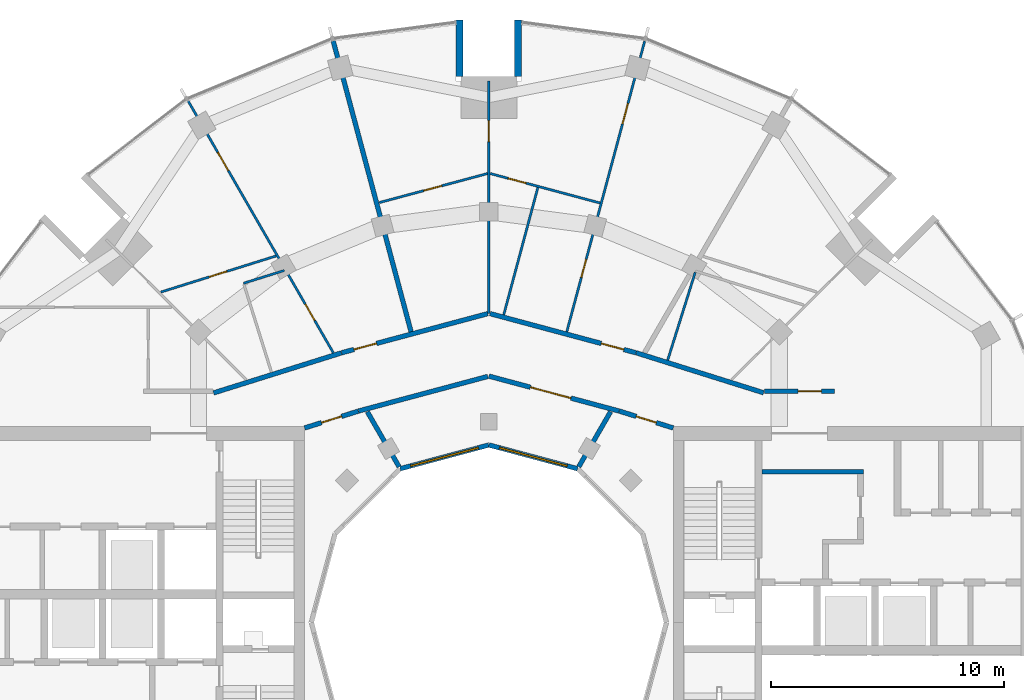
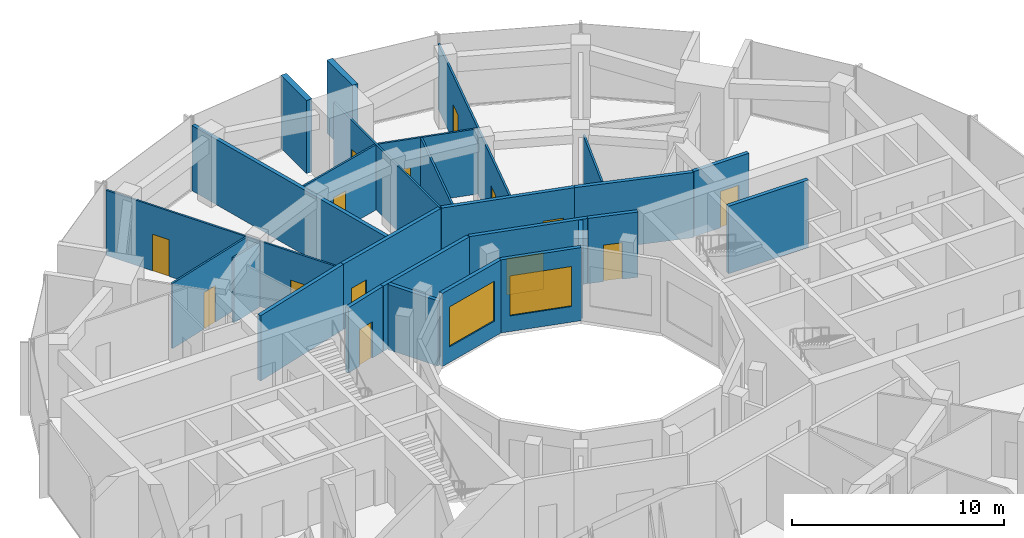
# One storey, part 12 of 15: 26 walls, 14 doors, 2 windows, 16 openings.
"""IFC4 building model written with IfcOpenShell, lengths in metres."""

from ifc_helpers import new_model, si_unit, direction, frame, frame_2d, origin, place, context, subcontext, project, spatial, rectangle, extrude, material, layer, layer_set, type_object, element, fill, save


model = new_model("IFC4")

# Units and contexts
model_context = context("Model", 3, precision=1e-05, world=origin(), true_north=direction((0.0, 1.0)))
body_context = subcontext(model_context, "Body", "Model", "MODEL_VIEW")
ifc_project = project(units=[si_unit("LENGTHUNIT", "METRE"), si_unit("AREAUNIT", "SQUARE_METRE"), si_unit("VOLUMEUNIT", "CUBIC_METRE"), si_unit("PLANEANGLEUNIT", "RADIAN"), si_unit("MASSUNIT", "GRAM", prefix="KILO")], contexts=[model_context])

# Site, building, storey
site_placement = place(None, origin())
site = spatial("IfcSite", under=ifc_project, at=site_placement, CompositionType="ELEMENT")
building_placement = place(site_placement, origin())
building = spatial("IfcBuilding", under=site, at=building_placement, Name="Torre Brocal", CompositionType="ELEMENT")
storey_placement = place(building_placement, frame((0.0, 0.0, 258.300048828125)))
storey = spatial("IfcBuildingStorey", under=building, at=storey_placement, Name="L59", CompositionType="ELEMENT", Elevation=258.300048828125)

# Walls
ifc_material_1 = material(Name="Concrete C60", Category="concrete")
ifc_layer_1 = layer(ifc_material_1, 0.199951171875)
ifc_layer_set_1 = layer_set([ifc_layer_1], Name="Concrete C60")
wall_type_1 = type_object("IfcWallType", Name="CORE WALL 200 C60", PredefinedType="SHEAR", material=ifc_layer_set_1)
wall_1_placement = place(storey_placement, frame((91.699951171875, 81.449951171875, 0.0), z_axis=(0.0, 0.0, 1.0), x_axis=(1.0, 0.0, 0.0)))
element("IfcWall", 1, at=wall_1_placement, inside=storey, type_object=wall_type_1, Name="Wall CW200-60", PredefinedType="SHEAR", context=body_context, shape_type="SweptSolid", body=[
    extrude(rectangle(XDim=4.35009765625, YDim=0.199951171875, at=frame_2d((2.175048828125, 0.0))), origin(), (0.0, 0.0, 1.0), 3.8798828125),
])
ifc_material_2 = material(Name="Concrete C60", Category="concrete")
ifc_layer_2 = layer(ifc_material_2, 0.300048828125)
ifc_layer_set_2 = layer_set([ifc_layer_2], Name="Concrete C60")
wall_type_2 = type_object("IfcWallType", Name="NOTCH RETURN WALL 300 C60", PredefinedType="NOTDEFINED", material=ifc_layer_set_2)
for number, where, z_axis, x_axis, name in (
    (2, (81.25, 98.39990234375, 0.0), (0.0, 0.0, 1.0), (0.0, 1.0, 0.0), "NOTCH RETURN WALL"),
    (3, (78.75, 98.39990234375, 0.0), (0.0, 0.0, 1.0), (0.0, 1.0, 0.0), "NOTCH RETURN WALL"),
):
    element("IfcWall", number, at=place(storey_placement, frame(where, z_axis=z_axis, x_axis=x_axis)), inside=storey, type_object=wall_type_2, Name=name, PredefinedType="NOTDEFINED", context=body_context, shape_type="SweptSolid", body=[
        extrude(rectangle(XDim=2.415771484375, YDim=0.300048828125, at=frame_2d((1.2080078125, 0.0))), origin(), (0.0, 0.0, 1.0), 4.199951171875),
    ])

# Wall, opening, door
ifc_material_3 = material(Name="Gypsum board", Category="Gypsum")
ifc_layer_3 = layer(ifc_material_3, 0.10009765625)
ifc_layer_set_3 = layer_set([ifc_layer_3], Name="Gypsum board")
wall_type_3 = type_object("IfcWallType", Name="PARTITION 100", PredefinedType="PARTITIONING", material=ifc_layer_set_3)
wall_2_placement = place(storey_placement, frame((65.9443359375, 89.156982421875, 0.0), z_axis=(0.0, 0.0, 1.0), x_axis=(0.954238484697, 0.299046675828, 0.0)))
wall_2 = element("IfcWall", 4, at=wall_2_placement, inside=storey, type_object=wall_type_3, Name="BATHROOM WALL", PredefinedType="PARTITIONING", context=body_context, shape_type="SweptSolid", body=[
    extrude(rectangle(XDim=5.16943359375, YDim=0.10009765625, at=frame_2d((2.584716796875, 0.0))), origin(), (0.0, 0.0, 1.0), 3.75),
])
opening_1_placement = place(wall_2_placement, frame((2.169921875, 0.0, 0.0)))
opening_1 = element("IfcOpeningElement", 5, at=opening_1_placement, cuts=wall_2, Name="Opening B04-D13", PredefinedType="OPENING", context=body_context, shape_type="SweptSolid", body=[
    extrude(rectangle(XDim=0.800048828125, YDim=2.10009765625, at=frame_2d((0.39990234375, 1.050048828125))), frame((0.0, 0.06005859375, 0.0), z_axis=(0.0, -1.0, 0.0), x_axis=(1.0, 0.0, 0.0)), (0.0, 0.0, 1.0), 0.1201171875),
])
ifc_material_4 = material(Name="Timber", Category="wood")
door_type_1 = type_object("IfcDoorType", Name="BATHROOM DOOR 800X2100", OperationType="SINGLE_SWING_LEFT", PredefinedType="DOOR", material=ifc_material_4)
door_1_placement = place(opening_1_placement, frame((0.800048828125, 0.0, 0.0), z_axis=(0.0, 0.0, 1.0), x_axis=(-1.0, 0.0, 0.0)))
door_1 = element("IfcDoor", 6, at=door_1_placement, inside=storey, type_object=door_type_1, Name="B04-D13", OperationType="SINGLE_SWING_RIGHT", OverallHeight=2.10009765625, OverallWidth=0.800048828125, PredefinedType="DOOR", context=body_context, shape_type="SweptSolid", body=[
    extrude(rectangle(XDim=0.800048828125, YDim=2.10009765625, at=frame_2d((0.39990234375, 1.050048828125))), frame((0.0, 0.02490234375, 0.0), z_axis=(0.0, -1.0, 0.0), x_axis=(1.0, 0.0, 0.0)), (0.0, 0.0, 1.0), 0.050048828125),
])
fill(opening_1, door_1)

# Wall, openings, doors
wall_3_placement = place(storey_placement, frame((67.110595703125, 97.3466796875, 0.0), z_axis=(0.0, 0.0, 1.0), x_axis=(0.499428303955, -0.866355221147, 0.0)))
wall_3 = element("IfcWall", 7, at=wall_3_placement, inside=storey, type_object=wall_type_3, Name="BATHROOM WALL", PredefinedType="PARTITIONING", context=body_context, shape_type="SweptSolid", body=[
    extrude(rectangle(XDim=12.45556640625, YDim=0.10009765625, at=frame_2d((6.227783203125, 0.0))), origin(), (0.0, 0.0, 1.0), 3.75),
])
opening_2_placement = place(wall_3_placement, frame((2.5380859375, 0.0, 0.0)))
opening_2 = element("IfcOpeningElement", 8, at=opening_2_placement, cuts=wall_3, Name="Opening B04-D12", PredefinedType="OPENING", context=body_context, shape_type="SweptSolid", body=[
    extrude(rectangle(XDim=0.89990234375, YDim=2.10009765625, at=frame_2d((0.449951171875, 1.050048828125))), frame((0.0, 0.06005859375, 0.0), z_axis=(0.0, -1.0, 0.0), x_axis=(1.0, 0.0, 0.0)), (0.0, 0.0, 1.0), 0.1201171875),
])
opening_3_placement = place(wall_3_placement, frame((10.054931640625, 0.0, 0.0)))
opening_3 = element("IfcOpeningElement", 9, at=opening_3_placement, cuts=wall_3, Name="Opening B04-D14", PredefinedType="OPENING", context=body_context, shape_type="SweptSolid", body=[
    extrude(rectangle(XDim=0.800048828125, YDim=2.10009765625, at=frame_2d((0.39990234375, 1.050048828125))), frame((0.0, 0.06005859375, 0.0), z_axis=(0.0, -1.0, 0.0), x_axis=(1.0, 0.0, 0.0)), (0.0, 0.0, 1.0), 0.1201171875),
])
door_2_placement = place(opening_3_placement, frame((0.800048828125, 0.0, 0.0), z_axis=(0.0, 0.0, 1.0), x_axis=(-1.0, 0.0, 0.0)))
door_2 = element("IfcDoor", 10, at=door_2_placement, inside=storey, type_object=door_type_1, Name="B04-D14", OperationType="SINGLE_SWING_LEFT", OverallHeight=2.10009765625, OverallWidth=0.800048828125, PredefinedType="DOOR", context=body_context, shape_type="SweptSolid", body=[
    extrude(rectangle(XDim=0.800048828125, YDim=2.10009765625, at=frame_2d((0.39990234375, 1.050048828125))), frame((0.0, 0.02490234375, 0.0), z_axis=(0.0, -1.0, 0.0), x_axis=(1.0, 0.0, 0.0)), (0.0, 0.0, 1.0), 0.050048828125),
])
fill(opening_3, door_2)
ifc_material_5 = material(Name="Timber", Category="wood")
door_type_2 = type_object("IfcDoorType", Name="ROOM DOOR 900X2100", OperationType="SINGLE_SWING_LEFT", PredefinedType="DOOR", material=ifc_material_5)
door_3_placement = place(opening_2_placement, frame((0.89990234375, 0.0, 0.0), z_axis=(0.0, 0.0, 1.0), x_axis=(-1.0, 0.0, 0.0)))
door_3 = element("IfcDoor", 11, at=door_3_placement, inside=storey, type_object=door_type_2, Name="B04-D12", OperationType="SINGLE_SWING_RIGHT", OverallHeight=2.10009765625, OverallWidth=0.89990234375, PredefinedType="DOOR", context=body_context, shape_type="SweptSolid", body=[
    extrude(rectangle(XDim=0.89990234375, YDim=2.10009765625, at=frame_2d((0.449951171875, 1.050048828125))), frame((0.0, 0.02490234375, 0.0), z_axis=(0.0, -1.0, 0.0), x_axis=(1.0, 0.0, 0.0)), (0.0, 0.0, 1.0), 0.050048828125),
])
fill(opening_2, door_3)

# Wall
wall_4_placement = place(storey_placement, frame((69.486083984375, 89.533935546875, 0.0), z_axis=(0.0, 0.0, 1.0), x_axis=(0.954254575134, 0.298995327449, 0.0)))
element("IfcWall", 12, at=wall_4_placement, inside=storey, type_object=wall_type_3, Name="BATHROOM WALL", PredefinedType="PARTITIONING", context=body_context, shape_type="SweptSolid", body=[
    extrude(rectangle(XDim=1.8330078125, YDim=0.10009765625, at=frame_2d((0.91650390625, 0.0))), origin(), (0.0, 0.0, 1.0), 3.75),
])

# Wall, opening, door
wall_5_placement = place(storey_placement, frame((75.294189453125, 92.988525390625, 0.0), z_axis=(0.0, 0.0, 1.0), x_axis=(0.965836333205, 0.259152807165, 0.0)))
wall_5 = element("IfcWall", 13, at=wall_5_placement, inside=storey, type_object=wall_type_3, Name="BATHROOM WALL", PredefinedType="PARTITIONING", context=body_context, shape_type="SweptSolid", body=[
    extrude(rectangle(XDim=4.81201171875, YDim=0.10009765625, at=frame_2d((2.406005859375, 0.0))), origin(), (0.0, 0.0, 1.0), 3.75),
])
opening_4_placement = place(wall_5_placement, frame((1.981201171875, 0.0, 0.0)))
opening_4 = element("IfcOpeningElement", 14, at=opening_4_placement, cuts=wall_5, Name="Opening B04-D10", PredefinedType="OPENING", context=body_context, shape_type="SweptSolid", body=[
    extrude(rectangle(XDim=0.800048828125, YDim=2.10009765625, at=frame_2d((0.39990234375, 1.050048828125))), frame((0.0, 0.06005859375, 0.0), z_axis=(0.0, -1.0, 0.0), x_axis=(1.0, 0.0, 0.0)), (0.0, 0.0, 1.0), 0.1201171875),
])
door_4_placement = place(opening_4_placement, frame((0.800048828125, 0.0, 0.0), z_axis=(0.0, 0.0, 1.0), x_axis=(-1.0, 0.0, 0.0)))
door_4 = element("IfcDoor", 15, at=door_4_placement, inside=storey, type_object=door_type_1, Name="B04-D10", OperationType="SINGLE_SWING_LEFT", OverallHeight=2.10009765625, OverallWidth=0.800048828125, PredefinedType="DOOR", context=body_context, shape_type="SweptSolid", body=[
    extrude(rectangle(XDim=0.800048828125, YDim=2.10009765625, at=frame_2d((0.39990234375, 1.050048828125))), frame((0.0, 0.02490234375, 0.0), z_axis=(0.0, -1.0, 0.0), x_axis=(1.0, 0.0, 0.0)), (0.0, 0.0, 1.0), 0.050048828125),
])
fill(opening_4, door_4)

wall_6_placement = place(storey_placement, frame((80.0, 88.24609375, 0.0), z_axis=(0.0, 0.0, 1.0), x_axis=(0.0, 1.0, 0.0)))
wall_6 = element("IfcWall", 16, at=wall_6_placement, inside=storey, type_object=wall_type_3, Name="BATHROOM WALL", PredefinedType="PARTITIONING", context=body_context, shape_type="SweptSolid", body=[
    extrude(rectangle(XDim=9.953857421875, YDim=0.10009765625, at=frame_2d((4.97705078125, 0.0))), origin(), (0.0, 0.0, 1.0), 3.75),
])
opening_5_placement = place(wall_6_placement, frame((7.3544921875, 0.0, 0.0)))
opening_5 = element("IfcOpeningElement", 17, at=opening_5_placement, cuts=wall_6, Name="Opening B04-D09", PredefinedType="OPENING", context=body_context, shape_type="SweptSolid", body=[
    extrude(rectangle(XDim=0.89990234375, YDim=2.10009765625, at=frame_2d((0.449951171875, 1.050048828125))), frame((0.0, 0.06005859375, 0.0), z_axis=(0.0, -1.0, 0.0), x_axis=(1.0, 0.0, 0.0)), (0.0, 0.0, 1.0), 0.1201171875),
])
door_5_placement = place(opening_5_placement, origin())
door_5 = element("IfcDoor", 18, at=door_5_placement, inside=storey, type_object=door_type_2, Name="B04-D09", OperationType="SINGLE_SWING_LEFT", OverallHeight=2.10009765625, OverallWidth=0.89990234375, PredefinedType="DOOR", context=body_context, shape_type="SweptSolid", body=[
    extrude(rectangle(XDim=0.89990234375, YDim=2.10009765625, at=frame_2d((0.449951171875, 1.050048828125))), frame((0.0, 0.02490234375, 0.0), z_axis=(0.0, -1.0, 0.0), x_axis=(1.0, 0.0, 0.0)), (0.0, 0.0, 1.0), 0.050048828125),
])
fill(opening_5, door_5)

wall_7_placement = place(storey_placement, frame((80.057861328125, 94.2353515625, 0.0), z_axis=(0.0, 0.0, 1.0), x_axis=(0.965831212389, -0.259171891173, 0.0)))
wall_7 = element("IfcWall", 19, at=wall_7_placement, inside=storey, type_object=wall_type_3, Name="BATHROOM WALL", PredefinedType="PARTITIONING", context=body_context, shape_type="SweptSolid", body=[
    extrude(rectangle(XDim=4.8720703125, YDim=0.10009765625, at=frame_2d((2.43603515625, 0.0))), origin(), (0.0, 0.0, 1.0), 3.75),
])
opening_6_placement = place(wall_7_placement, frame((0.79150390625, 0.0, 0.0)))
opening_6 = element("IfcOpeningElement", 20, at=opening_6_placement, cuts=wall_7, Name="Opening B04-D07", PredefinedType="OPENING", context=body_context, shape_type="SweptSolid", body=[
    extrude(rectangle(XDim=0.800048828125, YDim=2.10009765625, at=frame_2d((0.39990234375, 1.050048828125))), frame((0.0, 0.06005859375, 0.0), z_axis=(0.0, -1.0, 0.0), x_axis=(1.0, 0.0, 0.0)), (0.0, 0.0, 1.0), 0.1201171875),
])
door_6_placement = place(opening_6_placement, frame((0.800048828125, 0.0, 0.0), z_axis=(0.0, 0.0, 1.0), x_axis=(-1.0, 0.0, 0.0)))
door_6 = element("IfcDoor", 21, at=door_6_placement, inside=storey, type_object=door_type_1, Name="B04-D07", OperationType="SINGLE_SWING_LEFT", OverallHeight=2.10009765625, OverallWidth=0.800048828125, PredefinedType="DOOR", context=body_context, shape_type="SweptSolid", body=[
    extrude(rectangle(XDim=0.800048828125, YDim=2.10009765625, at=frame_2d((0.39990234375, 1.050048828125))), frame((0.0, 0.02490234375, 0.0), z_axis=(0.0, -1.0, 0.0), x_axis=(1.0, 0.0, 0.0)), (0.0, 0.0, 1.0), 0.050048828125),
])
fill(opening_6, door_6)

# Wall
wall_8_placement = place(storey_placement, frame((80.635009765625, 88.179443359375, 0.0), z_axis=(0.0, 0.0, 1.0), x_axis=(0.258942728312, 0.965892676986, 0.0)))
element("IfcWall", 22, at=wall_8_placement, inside=storey, type_object=wall_type_3, Name="BATHROOM WALL", PredefinedType="PARTITIONING", context=body_context, shape_type="SweptSolid", body=[
    extrude(rectangle(XDim=5.6494140625, YDim=0.10009765625, at=frame_2d((2.82470703125, 0.0))), origin(), (0.0, 0.0, 1.0), 3.75),
])

# Wall, openings, doors
wall_9_placement = place(storey_placement, frame((83.337646484375, 87.455078125, 0.0), z_axis=(0.0, 0.0, 1.0), x_axis=(0.25886596283, 0.965913253501, 0.0)))
wall_9 = element("IfcWall", 23, at=wall_9_placement, inside=storey, type_object=wall_type_3, Name="BATHROOM WALL", PredefinedType="PARTITIONING", context=body_context, shape_type="SweptSolid", body=[
    extrude(rectangle(XDim=12.90380859375, YDim=0.10009765625, at=frame_2d((6.451904296875, 0.0))), origin(), (0.0, 0.0, 1.0), 3.75),
])
opening_7_placement = place(wall_9_placement, frame((9.2265625, 0.0, 0.0)))
opening_7 = element("IfcOpeningElement", 24, at=opening_7_placement, cuts=wall_9, Name="Opening B04-D06", PredefinedType="OPENING", context=body_context, shape_type="SweptSolid", body=[
    extrude(rectangle(XDim=0.89990234375, YDim=2.10009765625, at=frame_2d((0.449951171875, 1.050048828125))), frame((0.0, 0.06005859375, 0.0), z_axis=(0.0, -1.0, 0.0), x_axis=(1.0, 0.0, 0.0)), (0.0, 0.0, 1.0), 0.1201171875),
])
opening_8_placement = place(wall_9_placement, frame((2.4091796875, 0.0, 0.0)))
opening_8 = element("IfcOpeningElement", 25, at=opening_8_placement, cuts=wall_9, Name="Opening B04-D08", PredefinedType="OPENING", context=body_context, shape_type="SweptSolid", body=[
    extrude(rectangle(XDim=0.800048828125, YDim=2.10009765625, at=frame_2d((0.39990234375, 1.050048828125))), frame((0.0, 0.06005859375, 0.0), z_axis=(0.0, -1.0, 0.0), x_axis=(1.0, 0.0, 0.0)), (0.0, 0.0, 1.0), 0.1201171875),
])
door_7_placement = place(opening_8_placement, origin())
door_7 = element("IfcDoor", 26, at=door_7_placement, inside=storey, type_object=door_type_1, Name="B04-D08", OperationType="SINGLE_SWING_RIGHT", OverallHeight=2.10009765625, OverallWidth=0.800048828125, PredefinedType="DOOR", context=body_context, shape_type="SweptSolid", body=[
    extrude(rectangle(XDim=0.800048828125, YDim=2.10009765625, at=frame_2d((0.39990234375, 1.050048828125))), frame((0.0, 0.02490234375, 0.0), z_axis=(0.0, -1.0, 0.0), x_axis=(1.0, 0.0, 0.0)), (0.0, 0.0, 1.0), 0.050048828125),
])
fill(opening_8, door_7)
door_8_placement = place(opening_7_placement, frame((0.89990234375, 0.0, 0.0), z_axis=(0.0, 0.0, 1.0), x_axis=(-1.0, 0.0, 0.0)))
door_8 = element("IfcDoor", 27, at=door_8_placement, inside=storey, type_object=door_type_2, Name="B04-D06", OperationType="SINGLE_SWING_LEFT", OverallHeight=2.10009765625, OverallWidth=0.89990234375, PredefinedType="DOOR", context=body_context, shape_type="SweptSolid", body=[
    extrude(rectangle(XDim=0.89990234375, YDim=2.10009765625, at=frame_2d((0.449951171875, 1.050048828125))), frame((0.0, 0.02490234375, 0.0), z_axis=(0.0, -1.0, 0.0), x_axis=(1.0, 0.0, 0.0)), (0.0, 0.0, 1.0), 0.050048828125),
])
fill(opening_7, door_8)

# Walls
wall_10_placement = place(storey_placement, frame((87.660888671875, 86.236328125, 0.0), z_axis=(0.0, 0.0, 1.0), x_axis=(0.299267255743, 0.954169329648, 0.0)))
element("IfcWall", 28, at=wall_10_placement, inside=storey, type_object=wall_type_3, Name="BATHROOM WALL", PredefinedType="PARTITIONING", context=body_context, shape_type="SweptSolid", body=[
    extrude(rectangle(XDim=3.9501953125, YDim=0.10009765625, at=frame_2d((1.97509765625, 0.0))), origin(), (0.0, 0.0, 1.0), 3.75),
])
ifc_material_6 = material(Name="Gypsum board", Category="Gypsum")
ifc_layer_4 = layer(ifc_material_6, 0.199951171875)
ifc_layer_set_4 = layer_set([ifc_layer_4], Name="Gypsum board")
wall_type_4 = type_object("IfcWallType", Name="PARTITION 200 EI60", PredefinedType="PARTITIONING", material=ifc_layer_set_4)
wall_11_placement = place(storey_placement, frame((68.19970703125, 84.833740234375, 0.0), z_axis=(0.0, 0.0, 1.0), x_axis=(0.954260265251, 0.298977166624, 0.0)))
element("IfcWall", 29, at=wall_11_placement, inside=storey, type_object=wall_type_4, Name="FLAT ENTRANCE WALL", PredefinedType="PARTITIONING", context=body_context, shape_type="SweptSolid", body=[
    extrude(rectangle(XDim=5.74072265625, YDim=0.199951171875, at=frame_2d((2.870361328125, 0.0))), origin(), (0.0, 0.0, 1.0), 3.75),
])

# Wall, opening, door
wall_12_placement = place(storey_placement, frame((72.10009765625, 83.33203125, 0.0), z_axis=(0.0, 0.0, 1.0), x_axis=(0.954233106619, 0.299063836383, 0.0)))
wall_12 = element("IfcWall", 30, at=wall_12_placement, inside=storey, type_object=wall_type_4, Name="CORRIDOR WALL", PredefinedType="PARTITIONING", context=body_context, shape_type="SweptSolid", body=[
    extrude(rectangle(XDim=2.4140625, YDim=0.199951171875, at=frame_2d((1.20703125, 0.0))), origin(), (0.0, 0.0, 1.0), 3.75),
])
opening_9_placement = place(wall_12_placement, frame((0.761962890625, 0.0, 0.0)))
opening_9 = element("IfcOpeningElement", 31, at=opening_9_placement, cuts=wall_12, Name="Opening B04-D20", PredefinedType="OPENING", context=body_context, shape_type="SweptSolid", body=[
    extrude(rectangle(XDim=0.89990234375, YDim=2.10009765625, at=frame_2d((0.449951171875, 1.050048828125))), frame((0.0, 0.10986328125, 0.0), z_axis=(0.0, -1.0, 0.0), x_axis=(1.0, 0.0, 0.0)), (0.0, 0.0, 1.0), 0.219970703125),
])
door_9_placement = place(opening_9_placement, frame((0.89990234375, 0.0, 0.0), z_axis=(0.0, 0.0, 1.0), x_axis=(-1.0, 0.0, 0.0)))
door_9 = element("IfcDoor", 32, at=door_9_placement, inside=storey, type_object=door_type_2, Name="B04-D20", OperationType="SINGLE_SWING_RIGHT", OverallHeight=2.10009765625, OverallWidth=0.89990234375, PredefinedType="DOOR", context=body_context, shape_type="SweptSolid", body=[
    extrude(rectangle(XDim=0.89990234375, YDim=2.10009765625, at=frame_2d((0.449951171875, 1.050048828125))), frame((0.0, 0.02490234375, 0.0), z_axis=(0.0, -1.0, 0.0), x_axis=(1.0, 0.0, 0.0)), (0.0, 0.0, 1.0), 0.050048828125),
])
fill(opening_9, door_9)

# Wall
wall_13_placement = place(storey_placement, frame((73.326904296875, 99.92041015625, 0.0), z_axis=(0.0, 0.0, 1.0), x_axis=(0.258652861824, -0.965970339643, 0.0)))
element("IfcWall", 33, at=wall_13_placement, inside=storey, type_object=wall_type_4, Name="BATHROOM WALL", PredefinedType="PARTITIONING", context=body_context, shape_type="SweptSolid", body=[
    extrude(rectangle(XDim=12.904052734375, YDim=0.199951171875, at=frame_2d((6.4521484375, 0.0))), origin(), (0.0, 0.0, 1.0), 3.75),
])

# Wall, opening, door
wall_14_placement = place(storey_placement, frame((73.68701171875, 86.55419921875, 0.0), z_axis=(0.0, 0.0, 1.0), x_axis=(0.965961994098, 0.258684027257, 0.0)))
wall_14 = element("IfcWall", 34, at=wall_14_placement, inside=storey, type_object=wall_type_4, Name="FLAT ENTRANCE WALL", PredefinedType="PARTITIONING", context=body_context, shape_type="SweptSolid", body=[
    extrude(rectangle(XDim=6.485595703125, YDim=0.199951171875, at=frame_2d((3.24267578125, 0.0))), origin(), (0.0, 0.0, 1.0), 3.75),
])
opening_10_placement = place(wall_14_placement, frame((0.550048828125, 0.0, 0.0)))
opening_10 = element("IfcOpeningElement", 35, at=opening_10_placement, cuts=wall_14, Name="Opening B04-D11", PredefinedType="OPENING", context=body_context, shape_type="SweptSolid", body=[
    extrude(rectangle(XDim=1.0, YDim=2.10009765625, at=frame_2d((0.5, 1.050048828125))), frame((0.0, 0.10986328125, 0.0), z_axis=(0.0, -1.0, 0.0), x_axis=(1.0, 0.0, 0.0)), (0.0, 0.0, 1.0), 0.219970703125),
])
ifc_material_7 = material(Name="Timber", Category="wood")
door_type_3 = type_object("IfcDoorType", Name="FLAT ENTRY DOOR FD30S 1000X2100", OperationType="SINGLE_SWING_RIGHT", PredefinedType="DOOR", material=ifc_material_7)
door_10_placement = place(opening_10_placement, origin())
door_10 = element("IfcDoor", 36, at=door_10_placement, inside=storey, type_object=door_type_3, Name="B04-D11", OperationType="SINGLE_SWING_LEFT", OverallHeight=2.10009765625, OverallWidth=1.0, PredefinedType="DOOR", context=body_context, shape_type="SweptSolid", body=[
    extrude(rectangle(XDim=1.0, YDim=2.10009765625, at=frame_2d((0.5, 1.050048828125))), frame((0.0, 0.02490234375, 0.0), z_axis=(0.0, -1.0, 0.0), x_axis=(1.0, 0.0, 0.0)), (0.0, 0.0, 1.0), 0.050048828125),
])
fill(opening_10, door_10)

# Walls
wall_15_placement = place(storey_placement, frame((74.412841796875, 84.05712890625, 0.0), z_axis=(0.0, 0.0, 1.0), x_axis=(0.965970849692, 0.258650956976, 0.0)))
element("IfcWall", 37, at=wall_15_placement, inside=storey, type_object=wall_type_4, Name="CORRIDOR WALL", PredefinedType="PARTITIONING", context=body_context, shape_type="SweptSolid", body=[
    extrude(rectangle(XDim=5.734130859375, YDim=0.199951171875, at=frame_2d((2.8671875, 0.0))), origin(), (0.0, 0.0, 1.0), 3.75),
])
wall_16_placement = place(storey_placement, frame((74.78955078125, 84.0283203125, 0.0), z_axis=(0.0, 0.0, 1.0), x_axis=(0.499859501914, -0.866106505198, 0.0)))
element("IfcWall", 38, at=wall_16_placement, inside=storey, type_object=wall_type_4, Name="SERVICE ROOM WALL", PredefinedType="PARTITIONING", context=body_context, shape_type="SweptSolid", body=[
    extrude(rectangle(XDim=2.724365234375, YDim=0.199951171875, at=frame_2d((1.3623046875, 0.0))), origin(), (0.0, 0.0, 1.0), 3.75),
])

# Wall, opening, door
wall_17_placement = place(storey_placement, frame((80.0, 85.55419921875, 0.0), z_axis=(0.0, 0.0, 1.0), x_axis=(0.965894438951, -0.258936155845, 0.0)))
wall_17 = element("IfcWall", 39, at=wall_17_placement, inside=storey, type_object=wall_type_4, Name="CORRIDOR WALL", PredefinedType="PARTITIONING", context=body_context, shape_type="SweptSolid", body=[
    extrude(rectangle(XDim=5.774169921875, YDim=0.199951171875, at=frame_2d((2.88720703125, 0.0))), origin(), (0.0, 0.0, 1.0), 3.75),
])
opening_11_placement = place(wall_17_placement, frame((1.84130859375, 0.0, 0.0)))
opening_11 = element("IfcOpeningElement", 40, at=opening_11_placement, cuts=wall_17, Name="Opening B04-D19", PredefinedType="OPENING", context=body_context, shape_type="SweptSolid", body=[
    extrude(rectangle(XDim=1.800048828125, YDim=2.10009765625, at=frame_2d((0.89990234375, 1.050048828125))), frame((0.0, 0.10986328125, 0.0), z_axis=(0.0, -1.0, 0.0), x_axis=(1.0, 0.0, 0.0)), (0.0, 0.0, 1.0), 0.219970703125),
])
ifc_material_8 = material(Name="Timber", Category="wood")
door_type_4 = type_object("IfcDoorType", Name="DOUBLE DOOR 1800X2100", OperationType="DOUBLE_DOOR_SINGLE_SWING", PredefinedType="DOOR", material=ifc_material_8)
door_11_placement = place(opening_11_placement, frame((1.800048828125, 0.0, 0.0), z_axis=(0.0, 0.0, 1.0), x_axis=(-1.0, 0.0, 0.0)))
door_11 = element("IfcDoor", 41, at=door_11_placement, inside=storey, type_object=door_type_4, Name="B04-D19", OperationType="DOUBLE_DOOR_SINGLE_SWING", OverallHeight=2.10009765625, OverallWidth=1.800048828125, PredefinedType="DOOR", context=body_context, shape_type="SweptSolid", body=[
    extrude(rectangle(XDim=1.800048828125, YDim=2.10009765625, at=frame_2d((0.89990234375, 1.050048828125))), frame((0.0, 0.02490234375, 0.0), z_axis=(0.0, -1.0, 0.0), x_axis=(1.0, 0.0, 0.0)), (0.0, 0.0, 1.0), 0.050048828125),
])
fill(opening_11, door_11)

wall_18_placement = place(storey_placement, frame((80.04833984375, 88.2333984375, 0.0), z_axis=(0.0, 0.0, 1.0), x_axis=(0.965787353661, -0.259335280109, 0.0)))
wall_18 = element("IfcWall", 42, at=wall_18_placement, inside=storey, type_object=wall_type_4, Name="FLAT ENTRANCE WALL", PredefinedType="PARTITIONING", context=body_context, shape_type="SweptSolid", body=[
    extrude(rectangle(XDim=6.47607421875, YDim=0.199951171875, at=frame_2d((3.238037109375, 0.0))), origin(), (0.0, 0.0, 1.0), 3.75),
])
opening_12_placement = place(wall_18_placement, frame((4.935791015625, 0.0, 0.0)))
opening_12 = element("IfcOpeningElement", 43, at=opening_12_placement, cuts=wall_18, Name="Opening B04-D05", PredefinedType="OPENING", context=body_context, shape_type="SweptSolid", body=[
    extrude(rectangle(XDim=1.0, YDim=2.10009765625, at=frame_2d((0.5, 1.050048828125))), frame((0.0, 0.10986328125, 0.0), z_axis=(0.0, -1.0, 0.0), x_axis=(1.0, 0.0, 0.0)), (0.0, 0.0, 1.0), 0.219970703125),
])
door_12_placement = place(opening_12_placement, origin())
door_12 = element("IfcDoor", 44, at=door_12_placement, inside=storey, type_object=door_type_3, Name="B04-D05", OperationType="SINGLE_SWING_RIGHT", OverallHeight=2.10009765625, OverallWidth=1.0, PredefinedType="DOOR", context=body_context, shape_type="SweptSolid", body=[
    extrude(rectangle(XDim=1.0, YDim=2.10009765625, at=frame_2d((0.5, 1.050048828125))), frame((0.0, 0.02490234375, 0.0), z_axis=(0.0, -1.0, 0.0), x_axis=(1.0, 0.0, 0.0)), (0.0, 0.0, 1.0), 0.050048828125),
])
fill(opening_12, door_12)

# Wall
wall_19_placement = place(storey_placement, frame((83.85009765625, 81.667724609375, 0.0), z_axis=(0.0, 0.0, 1.0), x_axis=(0.500099931433, 0.865967700657, 0.0)))
element("IfcWall", 45, at=wall_19_placement, inside=storey, type_object=wall_type_4, Name="PARTY PARTITION", PredefinedType="PARTITIONING", context=body_context, shape_type="SweptSolid", body=[
    extrude(rectangle(XDim=2.724609375, YDim=0.199951171875, at=frame_2d((1.3623046875, 0.0))), origin(), (0.0, 0.0, 1.0), 3.75),
])

# Wall, opening, door
wall_20_placement = place(storey_placement, frame((85.5869140625, 84.056884765625, 0.0), z_axis=(0.0, 0.0, 1.0), x_axis=(0.954239513179, -0.299043393987, 0.0)))
wall_20 = element("IfcWall", 46, at=wall_20_placement, inside=storey, type_object=wall_type_4, Name="CORRIDOR WALL", PredefinedType="PARTITIONING", context=body_context, shape_type="SweptSolid", body=[
    extrude(rectangle(XDim=2.423828125, YDim=0.199951171875, at=frame_2d((1.2119140625, 0.0))), origin(), (0.0, 0.0, 1.0), 3.75),
])
opening_13_placement = place(wall_20_placement, frame((0.761962890625, 0.0, 0.0)))
opening_13 = element("IfcOpeningElement", 47, at=opening_13_placement, cuts=wall_20, Name="Opening B04-D18", PredefinedType="OPENING", context=body_context, shape_type="SweptSolid", body=[
    extrude(rectangle(XDim=0.89990234375, YDim=2.10009765625, at=frame_2d((0.449951171875, 1.050048828125))), frame((0.0, 0.10986328125, 0.0), z_axis=(0.0, -1.0, 0.0), x_axis=(1.0, 0.0, 0.0)), (0.0, 0.0, 1.0), 0.219970703125),
])
door_13_placement = place(opening_13_placement, frame((0.89990234375, 0.0, 0.0), z_axis=(0.0, 0.0, 1.0), x_axis=(-1.0, 0.0, 0.0)))
door_13 = element("IfcDoor", 48, at=door_13_placement, inside=storey, type_object=door_type_2, Name="B04-D18", OperationType="SINGLE_SWING_LEFT", OverallHeight=2.10009765625, OverallWidth=0.89990234375, PredefinedType="DOOR", context=body_context, shape_type="SweptSolid", body=[
    extrude(rectangle(XDim=0.89990234375, YDim=2.10009765625, at=frame_2d((0.449951171875, 1.050048828125))), frame((0.0, 0.02490234375, 0.0), z_axis=(0.0, -1.0, 0.0), x_axis=(1.0, 0.0, 0.0)), (0.0, 0.0, 1.0), 0.050048828125),
])
fill(opening_13, door_13)

# Wall
wall_21_placement = place(storey_placement, frame((86.313232421875, 86.554443359375, 0.0), z_axis=(0.0, 0.0, 1.0), x_axis=(0.954077387881, -0.29956024091, 0.0)))
element("IfcWall", 49, at=wall_21_placement, inside=storey, type_object=wall_type_4, Name="FLAT ENTRANCE WALL", PredefinedType="PARTITIONING", context=body_context, shape_type="SweptSolid", body=[
    extrude(rectangle(XDim=5.720458984375, YDim=0.199951171875, at=frame_2d((2.8603515625, 0.0))), origin(), (0.0, 0.0, 1.0), 3.75),
])

# Wall, opening, door
wall_22_placement = place(storey_placement, frame((91.800048828125, 84.89990234375, 0.0), z_axis=(0.0, 0.0, 1.0), x_axis=(1.0, 0.0, 0.0)))
wall_22 = element("IfcWall", 50, at=wall_22_placement, inside=storey, type_object=wall_type_4, Name="FLAT ENTRANCE WALL", PredefinedType="PARTITIONING", context=body_context, shape_type="SweptSolid", body=[
    extrude(rectangle(XDim=3.0, YDim=0.199951171875, at=frame_2d((1.5, 0.0))), origin(), (0.0, 0.0, 1.0), 3.75),
])
opening_14_placement = place(wall_22_placement, frame((1.449951171875, 0.0, 0.0)))
opening_14 = element("IfcOpeningElement", 51, at=opening_14_placement, cuts=wall_22, Name="Opening B04-D01", PredefinedType="OPENING", context=body_context, shape_type="SweptSolid", body=[
    extrude(rectangle(XDim=1.0, YDim=2.10009765625, at=frame_2d((0.5, 1.050048828125))), frame((0.0, 0.10986328125, 0.0), z_axis=(0.0, -1.0, 0.0), x_axis=(1.0, 0.0, 0.0)), (0.0, 0.0, 1.0), 0.219970703125),
])
door_14_placement = place(opening_14_placement, origin())
door_14 = element("IfcDoor", 52, at=door_14_placement, inside=storey, type_object=door_type_3, Name="B04-D01", OperationType="SINGLE_SWING_LEFT", OverallHeight=2.10009765625, OverallWidth=1.0, PredefinedType="DOOR", context=body_context, shape_type="SweptSolid", body=[
    extrude(rectangle(XDim=1.0, YDim=2.10009765625, at=frame_2d((0.5, 1.050048828125))), frame((0.0, 0.02490234375, 0.0), z_axis=(0.0, -1.0, 0.0), x_axis=(1.0, 0.0, 0.0)), (0.0, 0.0, 1.0), 0.050048828125),
])
fill(opening_14, door_14)

# Wall, opening, window
ifc_material_9 = material(Name="Concrete C40", Category="concrete")
ifc_layer_5 = layer(ifc_material_9, 0.199951171875)
ifc_layer_set_5 = layer_set([ifc_layer_5], Name="Concrete C40")
wall_type_5 = type_object("IfcWallType", Name="WELL FACADE WALL 200", PredefinedType="NOTDEFINED", material=ifc_layer_set_5)
wall_23_placement = place(storey_placement, frame((83.8017578125, 81.5849609375, 0.0), z_axis=(0.0, 0.0, 1.0), x_axis=(-0.965933654434, 0.258789828301, 0.0)))
wall_23 = element("IfcWall", 53, at=wall_23_placement, inside=storey, type_object=wall_type_5, Name="WELL FACADE WALL", PredefinedType="NOTDEFINED", context=body_context, shape_type="SweptSolid", body=[
    extrude(rectangle(XDim=3.935791015625, YDim=0.199951171875, at=frame_2d((1.9677734375, 0.0))), origin(), (0.0, 0.0, 1.0), 4.199951171875),
])
opening_15_placement = place(wall_23_placement, frame((0.468017578125, 0.0, 0.89990234375)))
opening_15 = element("IfcOpeningElement", 54, at=opening_15_placement, cuts=wall_23, Name="Opening W1", PredefinedType="OPENING", context=body_context, shape_type="SweptSolid", body=[
    extrude(rectangle(XDim=3.0, YDim=2.300048828125, at=frame_2d((1.5, 1.14990234375))), frame((0.0, 0.10986328125, 0.0), z_axis=(0.0, -1.0, 0.0), x_axis=(1.0, 0.0, 0.0)), (0.0, 0.0, 1.0), 0.219970703125),
])
ifc_material_10 = material(Name="Aluminium and glass", Category="aluminium")
window_type = type_object("IfcWindowType", Name="WELL WINDOW 3000X2300", PartitioningType="SINGLE_PANEL", PredefinedType="WINDOW", material=ifc_material_10)
window_1_placement = place(opening_15_placement, origin())
window_1 = element("IfcWindow", 55, at=window_1_placement, inside=storey, type_object=window_type, Name="WELL WINDOW 3000X2300", OverallHeight=2.300048828125, OverallWidth=3.0, PartitioningType="SINGLE_PANEL", PredefinedType="WINDOW", context=body_context, shape_type="SweptSolid", body=[
    extrude(rectangle(XDim=3.0, YDim=2.300048828125, at=frame_2d((1.5, 1.14990234375))), frame((0.0, 0.030029296875, 0.0), z_axis=(0.0, -1.0, 0.0), x_axis=(1.0, 0.0, 0.0)), (0.0, 0.0, 1.0), 0.06005859375),
])
fill(opening_15, window_1)

wall_24_placement = place(storey_placement, frame((80.0, 82.603515625, 0.0), z_axis=(0.0, 0.0, 1.0), x_axis=(-0.965933654434, -0.258789828301, 0.0)))
wall_24 = element("IfcWall", 56, at=wall_24_placement, inside=storey, type_object=wall_type_5, Name="WELL FACADE WALL", PredefinedType="NOTDEFINED", context=body_context, shape_type="SweptSolid", body=[
    extrude(rectangle(XDim=3.935791015625, YDim=0.199951171875, at=frame_2d((1.9677734375, 0.0))), origin(), (0.0, 0.0, 1.0), 4.199951171875),
])
opening_16_placement = place(wall_24_placement, frame((0.468017578125, 0.0, 0.89990234375)))
opening_16 = element("IfcOpeningElement", 57, at=opening_16_placement, cuts=wall_24, Name="Opening W1", PredefinedType="OPENING", context=body_context, shape_type="SweptSolid", body=[
    extrude(rectangle(XDim=3.0, YDim=2.300048828125, at=frame_2d((1.5, 1.14990234375))), frame((0.0, 0.10986328125, 0.0), z_axis=(0.0, -1.0, 0.0), x_axis=(1.0, 0.0, 0.0)), (0.0, 0.0, 1.0), 0.219970703125),
])
window_2_placement = place(opening_16_placement, origin())
window_2 = element("IfcWindow", 58, at=window_2_placement, inside=storey, type_object=window_type, Name="WELL WINDOW 3000X2300", OverallHeight=2.300048828125, OverallWidth=3.0, PartitioningType="SINGLE_PANEL", PredefinedType="WINDOW", context=body_context, shape_type="SweptSolid", body=[
    extrude(rectangle(XDim=3.0, YDim=2.300048828125, at=frame_2d((1.5, 1.14990234375))), frame((0.0, 0.030029296875, 0.0), z_axis=(0.0, -1.0, 0.0), x_axis=(1.0, 0.0, 0.0)), (0.0, 0.0, 1.0), 0.06005859375),
])
fill(opening_16, window_2)

save(model, "model.ifc")
